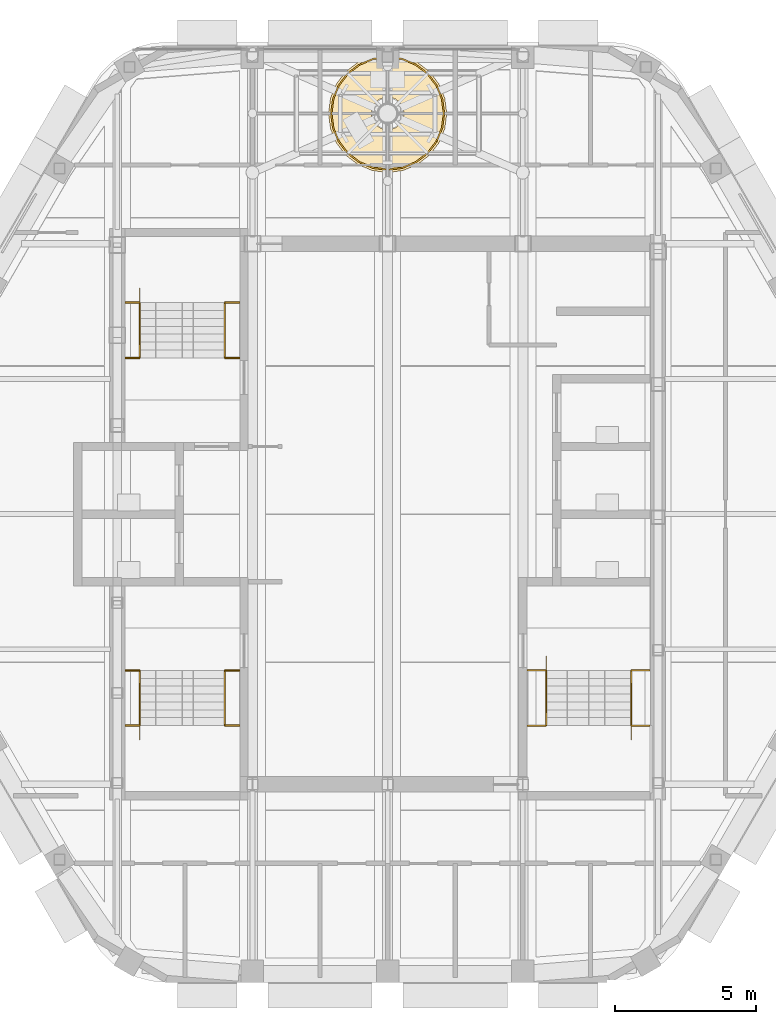
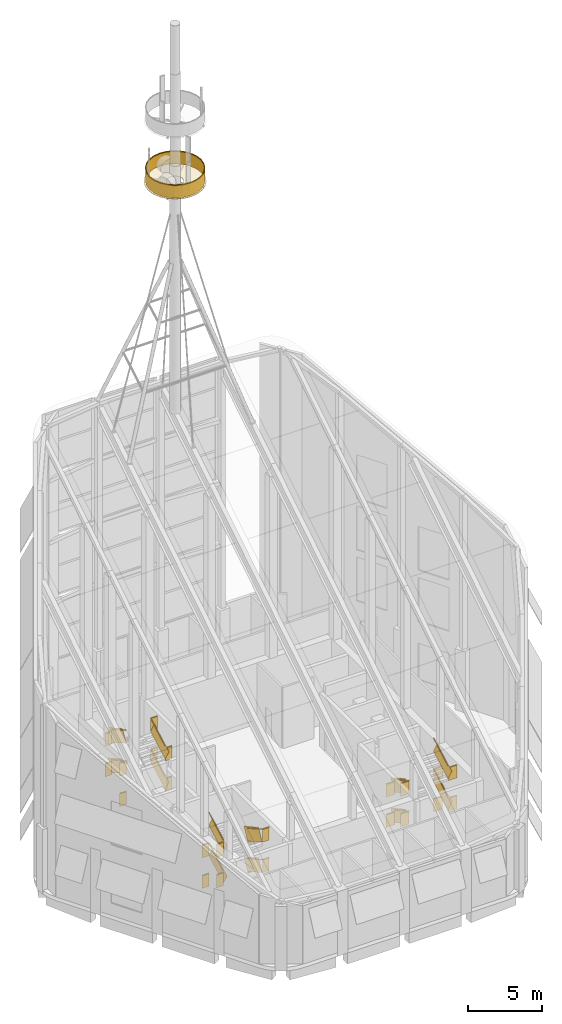
# One storey, part 24 of 25: 7 railings, 1 covering.
"""IFC4 building model written with IfcOpenShell, lengths in metres."""

from ifc_helpers import new_model, si_unit, direction, frame, frame_2d, origin, origin_2d, place, context, subcontext, project, spatial, polyline, rectangle, outline, extrude, material, layer, layer_set, type_object, element, save


model = new_model("IFC4")

# Units and contexts
model_context = context("Model", 3, precision=1e-05, world=origin(), true_north=direction((0.0, 1.0)))
body_context = subcontext(model_context, "Body", "Model", "MODEL_VIEW")
ifc_project = project(units=[si_unit("LENGTHUNIT", "METRE"), si_unit("AREAUNIT", "SQUARE_METRE"), si_unit("VOLUMEUNIT", "CUBIC_METRE"), si_unit("PLANEANGLEUNIT", "RADIAN"), si_unit("MASSUNIT", "GRAM", prefix="KILO")], contexts=[model_context])

# Site, building, storey
site_placement = place(None, origin())
site = spatial("IfcSite", under=ifc_project, at=site_placement, CompositionType="ELEMENT")
building_placement = place(site_placement, origin())
building = spatial("IfcBuilding", under=site, at=building_placement, Name="Kolab Exchange Tower", CompositionType="ELEMENT")
storey_placement = place(building_placement, frame((0.0, 0.0, 301.89990234375)))
storey = spatial("IfcBuildingStorey", under=building, at=storey_placement, Name="L68", CompositionType="ELEMENT", Elevation=301.89990234375)

# Railings
ifc_material_1 = material(Name="Stainless steel 316", Category="steel")
railing_type_1 = type_object("IfcRailingType", Name="GUARD 1100", PredefinedType="GUARDRAIL", material=ifc_material_1)
railing_1_placement = place(storey_placement, frame((-9.324951171875, 5.550048828125, 0.0)))
element("IfcRailing", 1, at=railing_1_placement, inside=storey, type_object=railing_type_1, Name="Guard ST1", PredefinedType="GUARDRAIL", context=body_context, shape_type="SweptSolid", body=[
    extrude(rectangle(XDim=0.05, YDim=0.05, at=origin_2d()), frame((0.0, 0.0, 1.0751953125), z_axis=(1.0, 0.0, 0.0), x_axis=(0.0, 1.0, 0.0)), (0.0, 0.0, 1.0), 0.52734375),
    extrude(rectangle(XDim=0.012, YDim=1.05009765625, at=frame_2d((0.0, 0.525146484375))), frame((0.0, 0.0, 0.0), z_axis=(1.0, 0.0, 0.0), x_axis=(0.0, 1.0, 0.0)), (0.0, 0.0, 1.0), 0.52734375),
    extrude(rectangle(XDim=0.05, YDim=0.05, at=origin_2d()), frame((3.54736328125, 0.0, 1.0751953125), z_axis=(1.0, 0.0, 0.0), x_axis=(0.0, 1.0, 0.0)), (0.0, 0.0, 1.0), 0.527587890625),
    extrude(rectangle(XDim=0.012, YDim=1.05009765625, at=frame_2d((0.0, 0.525146484375))), frame((3.54736328125, 0.0, 0.0), z_axis=(1.0, 0.0, 0.0), x_axis=(0.0, 1.0, 0.0)), (0.0, 0.0, 1.0), 0.527587890625),
    extrude(rectangle(XDim=0.05, YDim=0.05, at=origin_2d()), frame((0.0, 1.9599609375, 2.3251953125), z_axis=(1.0, 0.0, 0.0), x_axis=(0.0, 1.0, 0.0)), (0.0, 0.0, 1.0), 0.52734375),
    extrude(rectangle(XDim=0.012, YDim=1.05009765625, at=frame_2d((0.0, 0.525146484375))), frame((0.0, 1.9599609375, 1.25), z_axis=(1.0, 0.0, 0.0), x_axis=(0.0, 1.0, 0.0)), (0.0, 0.0, 1.0), 0.52734375),
    extrude(rectangle(XDim=0.05, YDim=0.05, at=origin_2d()), frame((3.54736328125, 1.9599609375, 2.3251953125), z_axis=(1.0, 0.0, 0.0), x_axis=(0.0, 1.0, 0.0)), (0.0, 0.0, 1.0), 0.527587890625),
    extrude(rectangle(XDim=0.012, YDim=1.05009765625, at=frame_2d((0.0, 0.525146484375))), frame((3.54736328125, 1.9599609375, 1.25), z_axis=(1.0, 0.0, 0.0), x_axis=(0.0, 1.0, 0.0)), (0.0, 0.0, 1.0), 0.527587890625),
    extrude(rectangle(XDim=0.05, YDim=0.05, at=origin_2d()), frame((0.0, 0.0, 3.5751953125), z_axis=(1.0, 0.0, 0.0), x_axis=(0.0, 1.0, 0.0)), (0.0, 0.0, 1.0), 0.52734375),
    extrude(rectangle(XDim=0.012, YDim=1.05009765625, at=frame_2d((0.0, 0.525146484375))), frame((0.0, 0.0, 2.5), z_axis=(1.0, 0.0, 0.0), x_axis=(0.0, 1.0, 0.0)), (0.0, 0.0, 1.0), 0.52734375),
    extrude(rectangle(XDim=0.05, YDim=0.05, at=origin_2d()), frame((3.54736328125, 0.0, 3.5751953125), z_axis=(1.0, 0.0, 0.0), x_axis=(0.0, 1.0, 0.0)), (0.0, 0.0, 1.0), 0.527587890625),
    extrude(rectangle(XDim=0.012, YDim=1.05009765625, at=frame_2d((0.0, 0.525146484375))), frame((3.54736328125, 0.0, 2.5), z_axis=(1.0, 0.0, 0.0), x_axis=(0.0, 1.0, 0.0)), (0.0, 0.0, 1.0), 0.527587890625),
    extrude(rectangle(XDim=0.05, YDim=0.05, at=origin_2d()), frame((0.0, 1.9599609375, 4.8251953125), z_axis=(1.0, 0.0, 0.0), x_axis=(0.0, 1.0, 0.0)), (0.0, 0.0, 1.0), 0.52734375),
    extrude(rectangle(XDim=0.012, YDim=1.05009765625, at=frame_2d((0.0, 0.525146484375))), frame((0.0, 1.9599609375, 3.75), z_axis=(1.0, 0.0, 0.0), x_axis=(0.0, 1.0, 0.0)), (0.0, 0.0, 1.0), 0.52734375),
    extrude(rectangle(XDim=0.05, YDim=0.05, at=origin_2d()), frame((3.54736328125, 1.9599609375, 4.8251953125), z_axis=(1.0, 0.0, 0.0), x_axis=(0.0, 1.0, 0.0)), (0.0, 0.0, 1.0), 0.527587890625),
    extrude(rectangle(XDim=0.012, YDim=1.05009765625, at=frame_2d((0.0, 0.525146484375))), frame((3.54736328125, 1.9599609375, 3.75), z_axis=(1.0, 0.0, 0.0), x_axis=(0.0, 1.0, 0.0)), (0.0, 0.0, 1.0), 0.527587890625),
])
railing_2_placement = place(storey_placement, frame((-5.777587890625, 5.550048828125, 0.15625)))
element("IfcRailing", 2, at=railing_2_placement, inside=storey, type_object=railing_type_1, Name="Handrail guard ST1", PredefinedType="GUARDRAIL", context=body_context, shape_type="SweptSolid", body=[
    extrude(rectangle(XDim=0.05, YDim=0.05, at=origin_2d()), frame((0.0, 0.0, 1.0751953125), z_axis=(0.0, 0.873232148454, 0.487304437602), x_axis=(-1.0, 0.0, 0.0)), (0.0, 0.0, 1.0), 2.244384765625),
    extrude(rectangle(XDim=0.012, YDim=1.05009765625, at=frame_2d((0.0, 0.525146484375))), frame((0.0, 0.0, 0.0), z_axis=(0.0, 0.873232148454, 0.487304437602), x_axis=(-1.0, 0.0, 0.0)), (0.0, 0.0, 1.0), 2.244384765625),
    extrude(rectangle(XDim=0.05, YDim=0.05, at=origin_2d()), frame((-3.02001953125, 1.9599609375, 2.3251953125), z_axis=(0.0, -0.873232148454, 0.487304437602), x_axis=(1.0, 0.0, 0.0)), (0.0, 0.0, 1.0), 2.244384765625),
    extrude(rectangle(XDim=0.012, YDim=1.05009765625, at=frame_2d((0.0, 0.525146484375))), frame((-3.02001953125, 1.9599609375, 1.25), z_axis=(0.0, -0.873232148454, 0.487304437602), x_axis=(1.0, 0.0, 0.0)), (0.0, 0.0, 1.0), 2.244384765625),
    extrude(rectangle(XDim=0.05, YDim=0.05, at=origin_2d()), frame((0.0, 0.0, 3.5751953125), z_axis=(0.0, 0.873232148454, 0.487304437602), x_axis=(-1.0, 0.0, 0.0)), (0.0, 0.0, 1.0), 2.244384765625),
    extrude(rectangle(XDim=0.012, YDim=1.05009765625, at=frame_2d((0.0, 0.525146484375))), frame((0.0, 0.0, 2.5), z_axis=(0.0, 0.873232148454, 0.487304437602), x_axis=(-1.0, 0.0, 0.0)), (0.0, 0.0, 1.0), 2.244384765625),
    extrude(rectangle(XDim=0.05, YDim=0.05, at=origin_2d()), frame((-3.02001953125, 1.9599609375, 4.8251953125), z_axis=(0.0, -0.873232148454, 0.487304437602), x_axis=(1.0, 0.0, 0.0)), (0.0, 0.0, 1.0), 2.244384765625),
    extrude(rectangle(XDim=0.012, YDim=1.05009765625, at=frame_2d((0.0, 0.525146484375))), frame((-3.02001953125, 1.9599609375, 3.75), z_axis=(0.0, -0.873232148454, 0.487304437602), x_axis=(1.0, 0.0, 0.0)), (0.0, 0.0, 1.0), 2.244384765625),
])
railing_3_placement = place(storey_placement, frame((-9.324951171875, -5.550048828125, 0.0)))
element("IfcRailing", 3, at=railing_3_placement, inside=storey, type_object=railing_type_1, Name="Guard ST3", PredefinedType="GUARDRAIL", context=body_context, shape_type="SweptSolid", body=[
    extrude(rectangle(XDim=0.05, YDim=0.05, at=origin_2d()), frame((0.0, 0.0, 1.0751953125), z_axis=(1.0, 0.0, 0.0), x_axis=(0.0, 1.0, 0.0)), (0.0, 0.0, 1.0), 0.52734375),
    extrude(rectangle(XDim=0.012, YDim=1.05009765625, at=frame_2d((0.0, 0.525146484375))), frame((0.0, 0.0, 0.0), z_axis=(1.0, 0.0, 0.0), x_axis=(0.0, 1.0, 0.0)), (0.0, 0.0, 1.0), 0.52734375),
    extrude(rectangle(XDim=0.05, YDim=0.05, at=origin_2d()), frame((3.54736328125, 0.0, 1.0751953125), z_axis=(1.0, 0.0, 0.0), x_axis=(0.0, 1.0, 0.0)), (0.0, 0.0, 1.0), 0.527587890625),
    extrude(rectangle(XDim=0.012, YDim=1.05009765625, at=frame_2d((0.0, 0.525146484375))), frame((3.54736328125, 0.0, 0.0), z_axis=(1.0, 0.0, 0.0), x_axis=(0.0, 1.0, 0.0)), (0.0, 0.0, 1.0), 0.527587890625),
    extrude(rectangle(XDim=0.05, YDim=0.05, at=origin_2d()), frame((0.0, -1.9599609375, 2.3251953125), z_axis=(1.0, 0.0, 0.0), x_axis=(0.0, 1.0, 0.0)), (0.0, 0.0, 1.0), 0.52734375),
    extrude(rectangle(XDim=0.012, YDim=1.05009765625, at=frame_2d((0.0, 0.525146484375))), frame((0.0, -1.9599609375, 1.25), z_axis=(1.0, 0.0, 0.0), x_axis=(0.0, 1.0, 0.0)), (0.0, 0.0, 1.0), 0.52734375),
    extrude(rectangle(XDim=0.05, YDim=0.05, at=origin_2d()), frame((3.54736328125, -1.9599609375, 2.3251953125), z_axis=(1.0, 0.0, 0.0), x_axis=(0.0, 1.0, 0.0)), (0.0, 0.0, 1.0), 0.527587890625),
    extrude(rectangle(XDim=0.012, YDim=1.05009765625, at=frame_2d((0.0, 0.525146484375))), frame((3.54736328125, -1.9599609375, 1.25), z_axis=(1.0, 0.0, 0.0), x_axis=(0.0, 1.0, 0.0)), (0.0, 0.0, 1.0), 0.527587890625),
    extrude(rectangle(XDim=0.05, YDim=0.05, at=origin_2d()), frame((0.0, 0.0, 3.5751953125), z_axis=(1.0, 0.0, 0.0), x_axis=(0.0, 1.0, 0.0)), (0.0, 0.0, 1.0), 0.52734375),
    extrude(rectangle(XDim=0.012, YDim=1.05009765625, at=frame_2d((0.0, 0.525146484375))), frame((0.0, 0.0, 2.5), z_axis=(1.0, 0.0, 0.0), x_axis=(0.0, 1.0, 0.0)), (0.0, 0.0, 1.0), 0.52734375),
    extrude(rectangle(XDim=0.05, YDim=0.05, at=origin_2d()), frame((3.54736328125, 0.0, 3.5751953125), z_axis=(1.0, 0.0, 0.0), x_axis=(0.0, 1.0, 0.0)), (0.0, 0.0, 1.0), 0.527587890625),
    extrude(rectangle(XDim=0.012, YDim=1.05009765625, at=frame_2d((0.0, 0.525146484375))), frame((3.54736328125, 0.0, 2.5), z_axis=(1.0, 0.0, 0.0), x_axis=(0.0, 1.0, 0.0)), (0.0, 0.0, 1.0), 0.527587890625),
    extrude(rectangle(XDim=0.05, YDim=0.05, at=origin_2d()), frame((0.0, -1.9599609375, 4.8251953125), z_axis=(1.0, 0.0, 0.0), x_axis=(0.0, 1.0, 0.0)), (0.0, 0.0, 1.0), 0.52734375),
    extrude(rectangle(XDim=0.012, YDim=1.05009765625, at=frame_2d((0.0, 0.525146484375))), frame((0.0, -1.9599609375, 3.75), z_axis=(1.0, 0.0, 0.0), x_axis=(0.0, 1.0, 0.0)), (0.0, 0.0, 1.0), 0.52734375),
    extrude(rectangle(XDim=0.05, YDim=0.05, at=origin_2d()), frame((3.54736328125, -1.9599609375, 4.8251953125), z_axis=(1.0, 0.0, 0.0), x_axis=(0.0, 1.0, 0.0)), (0.0, 0.0, 1.0), 0.527587890625),
    extrude(rectangle(XDim=0.012, YDim=1.05009765625, at=frame_2d((0.0, 0.525146484375))), frame((3.54736328125, -1.9599609375, 3.75), z_axis=(1.0, 0.0, 0.0), x_axis=(0.0, 1.0, 0.0)), (0.0, 0.0, 1.0), 0.527587890625),
])
railing_4_placement = place(storey_placement, frame((-5.777587890625, -5.550048828125, 0.15625)))
element("IfcRailing", 4, at=railing_4_placement, inside=storey, type_object=railing_type_1, Name="Handrail guard ST3", PredefinedType="GUARDRAIL", context=body_context, shape_type="SweptSolid", body=[
    extrude(rectangle(XDim=0.05, YDim=0.05, at=origin_2d()), frame((0.0, 0.0, 1.0751953125), z_axis=(0.0, -0.873232148454, 0.487304437602), x_axis=(1.0, 0.0, 0.0)), (0.0, 0.0, 1.0), 2.244384765625),
    extrude(rectangle(XDim=0.012, YDim=1.05009765625, at=frame_2d((0.0, 0.525146484375))), frame((0.0, 0.0, 0.0), z_axis=(0.0, -0.873232148454, 0.487304437602), x_axis=(1.0, 0.0, 0.0)), (0.0, 0.0, 1.0), 2.244384765625),
    extrude(rectangle(XDim=0.05, YDim=0.05, at=origin_2d()), frame((-3.02001953125, -1.9599609375, 2.3251953125), z_axis=(0.0, 0.873232148454, 0.487304437602), x_axis=(-1.0, 0.0, 0.0)), (0.0, 0.0, 1.0), 2.244384765625),
    extrude(rectangle(XDim=0.012, YDim=1.05009765625, at=frame_2d((0.0, 0.525146484375))), frame((-3.02001953125, -1.9599609375, 1.25), z_axis=(0.0, 0.873232148454, 0.487304437602), x_axis=(-1.0, 0.0, 0.0)), (0.0, 0.0, 1.0), 2.244384765625),
    extrude(rectangle(XDim=0.05, YDim=0.05, at=origin_2d()), frame((0.0, 0.0, 3.5751953125), z_axis=(0.0, -0.873232148454, 0.487304437602), x_axis=(1.0, 0.0, 0.0)), (0.0, 0.0, 1.0), 2.244384765625),
    extrude(rectangle(XDim=0.012, YDim=1.05009765625, at=frame_2d((0.0, 0.525146484375))), frame((0.0, 0.0, 2.5), z_axis=(0.0, -0.873232148454, 0.487304437602), x_axis=(1.0, 0.0, 0.0)), (0.0, 0.0, 1.0), 2.244384765625),
    extrude(rectangle(XDim=0.05, YDim=0.05, at=origin_2d()), frame((-3.02001953125, -1.9599609375, 4.8251953125), z_axis=(0.0, 0.873232148454, 0.487304437602), x_axis=(-1.0, 0.0, 0.0)), (0.0, 0.0, 1.0), 2.244384765625),
    extrude(rectangle(XDim=0.012, YDim=1.05009765625, at=frame_2d((0.0, 0.525146484375))), frame((-3.02001953125, -1.9599609375, 3.75), z_axis=(0.0, 0.873232148454, 0.487304437602), x_axis=(-1.0, 0.0, 0.0)), (0.0, 0.0, 1.0), 2.244384765625),
])
railing_5_placement = place(storey_placement, frame((4.949951171875, -5.550048828125, 0.0)))
element("IfcRailing", 5, at=railing_5_placement, inside=storey, type_object=railing_type_1, Name="Guard ST2", PredefinedType="GUARDRAIL", context=body_context, shape_type="SweptSolid", body=[
    extrude(rectangle(XDim=0.05, YDim=0.05, at=origin_2d()), frame((0.0, 0.0, 1.0751953125), z_axis=(1.0, 0.0, 0.0), x_axis=(0.0, 1.0, 0.0)), (0.0, 0.0, 1.0), 0.677490234375),
    extrude(rectangle(XDim=0.012, YDim=1.05009765625, at=frame_2d((0.0, 0.525146484375))), frame((0.0, 0.0, 0.0), z_axis=(1.0, 0.0, 0.0), x_axis=(0.0, 1.0, 0.0)), (0.0, 0.0, 1.0), 0.677490234375),
    extrude(rectangle(XDim=0.05, YDim=0.05, at=origin_2d()), frame((3.697509765625, 0.0, 1.0751953125), z_axis=(1.0, 0.0, 0.0), x_axis=(0.0, 1.0, 0.0)), (0.0, 0.0, 1.0), 0.677490234375),
    extrude(rectangle(XDim=0.012, YDim=1.05009765625, at=frame_2d((0.0, 0.525146484375))), frame((3.697509765625, 0.0, 0.0), z_axis=(1.0, 0.0, 0.0), x_axis=(0.0, 1.0, 0.0)), (0.0, 0.0, 1.0), 0.677490234375),
    extrude(rectangle(XDim=0.05, YDim=0.05, at=origin_2d()), frame((0.0, -1.9599609375, 2.3251953125), z_axis=(1.0, 0.0, 0.0), x_axis=(0.0, 1.0, 0.0)), (0.0, 0.0, 1.0), 0.677490234375),
    extrude(rectangle(XDim=0.012, YDim=1.05009765625, at=frame_2d((0.0, 0.525146484375))), frame((0.0, -1.9599609375, 1.25), z_axis=(1.0, 0.0, 0.0), x_axis=(0.0, 1.0, 0.0)), (0.0, 0.0, 1.0), 0.677490234375),
    extrude(rectangle(XDim=0.05, YDim=0.05, at=origin_2d()), frame((3.697509765625, -1.9599609375, 2.3251953125), z_axis=(1.0, 0.0, 0.0), x_axis=(0.0, 1.0, 0.0)), (0.0, 0.0, 1.0), 0.677490234375),
    extrude(rectangle(XDim=0.012, YDim=1.05009765625, at=frame_2d((0.0, 0.525146484375))), frame((3.697509765625, -1.9599609375, 1.25), z_axis=(1.0, 0.0, 0.0), x_axis=(0.0, 1.0, 0.0)), (0.0, 0.0, 1.0), 0.677490234375),
    extrude(rectangle(XDim=0.05, YDim=0.05, at=origin_2d()), frame((0.0, 0.0, 3.5751953125), z_axis=(1.0, 0.0, 0.0), x_axis=(0.0, 1.0, 0.0)), (0.0, 0.0, 1.0), 0.677490234375),
    extrude(rectangle(XDim=0.012, YDim=1.05009765625, at=frame_2d((0.0, 0.525146484375))), frame((0.0, 0.0, 2.5), z_axis=(1.0, 0.0, 0.0), x_axis=(0.0, 1.0, 0.0)), (0.0, 0.0, 1.0), 0.677490234375),
    extrude(rectangle(XDim=0.05, YDim=0.05, at=origin_2d()), frame((3.697509765625, 0.0, 3.5751953125), z_axis=(1.0, 0.0, 0.0), x_axis=(0.0, 1.0, 0.0)), (0.0, 0.0, 1.0), 0.677490234375),
    extrude(rectangle(XDim=0.012, YDim=1.05009765625, at=frame_2d((0.0, 0.525146484375))), frame((3.697509765625, 0.0, 2.5), z_axis=(1.0, 0.0, 0.0), x_axis=(0.0, 1.0, 0.0)), (0.0, 0.0, 1.0), 0.677490234375),
    extrude(rectangle(XDim=0.05, YDim=0.05, at=origin_2d()), frame((0.0, -1.9599609375, 4.8251953125), z_axis=(1.0, 0.0, 0.0), x_axis=(0.0, 1.0, 0.0)), (0.0, 0.0, 1.0), 0.677490234375),
    extrude(rectangle(XDim=0.012, YDim=1.05009765625, at=frame_2d((0.0, 0.525146484375))), frame((0.0, -1.9599609375, 3.75), z_axis=(1.0, 0.0, 0.0), x_axis=(0.0, 1.0, 0.0)), (0.0, 0.0, 1.0), 0.677490234375),
    extrude(rectangle(XDim=0.05, YDim=0.05, at=origin_2d()), frame((3.697509765625, -1.9599609375, 4.8251953125), z_axis=(1.0, 0.0, 0.0), x_axis=(0.0, 1.0, 0.0)), (0.0, 0.0, 1.0), 0.677490234375),
    extrude(rectangle(XDim=0.012, YDim=1.05009765625, at=frame_2d((0.0, 0.525146484375))), frame((3.697509765625, -1.9599609375, 3.75), z_axis=(1.0, 0.0, 0.0), x_axis=(0.0, 1.0, 0.0)), (0.0, 0.0, 1.0), 0.677490234375),
])
railing_6_placement = place(storey_placement, frame((5.62744140625, -5.550048828125, 0.15625)))
element("IfcRailing", 6, at=railing_6_placement, inside=storey, type_object=railing_type_1, Name="Handrail guard ST2", PredefinedType="GUARDRAIL", context=body_context, shape_type="SweptSolid", body=[
    extrude(rectangle(XDim=0.05, YDim=0.05, at=origin_2d()), frame((0.0, 0.0, 1.0751953125), z_axis=(0.0, -0.873232148454, 0.487304437602), x_axis=(1.0, 0.0, 0.0)), (0.0, 0.0, 1.0), 2.244384765625),
    extrude(rectangle(XDim=0.012, YDim=1.05009765625, at=frame_2d((0.0, 0.525146484375))), frame((0.0, 0.0, 0.0), z_axis=(0.0, -0.873232148454, 0.487304437602), x_axis=(1.0, 0.0, 0.0)), (0.0, 0.0, 1.0), 2.244384765625),
    extrude(rectangle(XDim=0.05, YDim=0.05, at=origin_2d()), frame((3.02001953125, -1.9599609375, 2.3251953125), z_axis=(0.0, 0.873232148454, 0.487304437602), x_axis=(-1.0, 0.0, 0.0)), (0.0, 0.0, 1.0), 2.244384765625),
    extrude(rectangle(XDim=0.012, YDim=1.05009765625, at=frame_2d((0.0, 0.525146484375))), frame((3.02001953125, -1.9599609375, 1.25), z_axis=(0.0, 0.873232148454, 0.487304437602), x_axis=(-1.0, 0.0, 0.0)), (0.0, 0.0, 1.0), 2.244384765625),
    extrude(rectangle(XDim=0.05, YDim=0.05, at=origin_2d()), frame((0.0, 0.0, 3.5751953125), z_axis=(0.0, -0.873232148454, 0.487304437602), x_axis=(1.0, 0.0, 0.0)), (0.0, 0.0, 1.0), 2.244384765625),
    extrude(rectangle(XDim=0.012, YDim=1.05009765625, at=frame_2d((0.0, 0.525146484375))), frame((0.0, 0.0, 2.5), z_axis=(0.0, -0.873232148454, 0.487304437602), x_axis=(1.0, 0.0, 0.0)), (0.0, 0.0, 1.0), 2.244384765625),
    extrude(rectangle(XDim=0.05, YDim=0.05, at=origin_2d()), frame((3.02001953125, -1.9599609375, 4.8251953125), z_axis=(0.0, 0.873232148454, 0.487304437602), x_axis=(-1.0, 0.0, 0.0)), (0.0, 0.0, 1.0), 2.244384765625),
    extrude(rectangle(XDim=0.012, YDim=1.05009765625, at=frame_2d((0.0, 0.525146484375))), frame((3.02001953125, -1.9599609375, 3.75), z_axis=(0.0, 0.873232148454, 0.487304437602), x_axis=(-1.0, 0.0, 0.0)), (0.0, 0.0, 1.0), 2.244384765625),
])
ifc_material_2 = material(Name="Steel S235", Category="steel")
railing_type_2 = type_object("IfcRailingType", Name="GUARD 1100 GLASS BALUSTRADE AND STEEL TOP RAIL", PredefinedType="GUARDRAIL", material=ifc_material_2)
railing_7_placement = place(storey_placement, frame((2.0, 14.227783203125, 42.83056640625)))
element("IfcRailing", 7, at=railing_7_placement, inside=storey, type_object=railing_type_2, Name="Mast platform guard", PredefinedType="GUARDRAIL", context=body_context, shape_type="SweptSolid", body=[
    extrude(rectangle(XDim=0.05, YDim=0.05, at=origin_2d()), frame((0.0, 0.0, 1.0751953125), z_axis=(-0.130478707622, 0.991451111683, 0.0), x_axis=(-0.991451111683, -0.130478707622, 0.0)), (0.0, 0.0, 1.0), 0.52197265625),
    extrude(rectangle(XDim=0.012, YDim=1.05009765625, at=frame_2d((0.0, 0.525146484375))), frame((0.0, 0.0, 0.0), z_axis=(-0.130478707622, 0.991451111683, 0.0), x_axis=(-0.991451111683, -0.130478707622, 0.0)), (0.0, 0.0, 1.0), 0.52197265625),
    extrude(rectangle(XDim=0.05, YDim=0.05, at=origin_2d()), frame((-0.068115234375, 0.517578125, 1.0751953125), z_axis=(-0.382888531077, 0.923794551169, 0.0), x_axis=(-0.923794551169, -0.382888531077, 0.0)), (0.0, 0.0, 1.0), 0.522216796875),
    extrude(rectangle(XDim=0.012, YDim=1.05009765625, at=frame_2d((0.0, 0.525146484375))), frame((-0.068115234375, 0.517578125, 0.0), z_axis=(-0.382888531077, 0.923794551169, 0.0), x_axis=(-0.923794551169, -0.382888531077, 0.0)), (0.0, 0.0, 1.0), 0.522216796875),
    extrude(rectangle(XDim=0.05, YDim=0.05, at=origin_2d()), frame((-0.26806640625, 1.0, 1.0751953125), z_axis=(-0.608647594015, 0.79344067598, 0.0), x_axis=(-0.79344067598, -0.608647594015, 0.0)), (0.0, 0.0, 1.0), 0.52197265625),
    extrude(rectangle(XDim=0.012, YDim=1.05009765625, at=frame_2d((0.0, 0.525146484375))), frame((-0.26806640625, 1.0, 0.0), z_axis=(-0.608647594015, 0.79344067598, 0.0), x_axis=(-0.79344067598, -0.608647594015, 0.0)), (0.0, 0.0, 1.0), 0.52197265625),
    extrude(rectangle(XDim=0.05, YDim=0.05, at=origin_2d()), frame((-0.585693359375, 1.4140625, 1.0751953125), z_axis=(-0.793388088797, 0.608716141198, 0.0), x_axis=(-0.608716141198, -0.793388088797, 0.0)), (0.0, 0.0, 1.0), 0.522216796875),
    extrude(rectangle(XDim=0.012, YDim=1.05009765625, at=frame_2d((0.0, 0.525146484375))), frame((-0.585693359375, 1.4140625, 0.0), z_axis=(-0.793388088797, 0.608716141198, 0.0), x_axis=(-0.608716141198, -0.793388088797, 0.0)), (0.0, 0.0, 1.0), 0.522216796875),
    extrude(rectangle(XDim=0.05, YDim=0.05, at=origin_2d()), frame((-1.0, 1.73193359375, 1.0751953125), z_axis=(-0.923959856763, 0.382489454875, 0.0), x_axis=(-0.382489454875, -0.923959856763, 0.0)), (0.0, 0.0, 1.0), 0.522216796875),
    extrude(rectangle(XDim=0.012, YDim=1.05009765625, at=frame_2d((0.0, 0.525146484375))), frame((-1.0, 1.73193359375, 0.0), z_axis=(-0.923959856763, 0.382489454875, 0.0), x_axis=(-0.382489454875, -0.923959856763, 0.0)), (0.0, 0.0, 1.0), 0.522216796875),
    extrude(rectangle(XDim=0.05, YDim=0.05, at=origin_2d()), frame((-1.482421875, 1.931640625, 1.0751953125), z_axis=(-0.99139051007, 0.130938369255, 0.0), x_axis=(-0.130938369255, -0.99139051007, 0.0)), (0.0, 0.0, 1.0), 0.52197265625),
    extrude(rectangle(XDim=0.012, YDim=1.05009765625, at=frame_2d((0.0, 0.525146484375))), frame((-1.482421875, 1.931640625, 0.0), z_axis=(-0.99139051007, 0.130938369255, 0.0), x_axis=(-0.130938369255, -0.99139051007, 0.0)), (0.0, 0.0, 1.0), 0.52197265625),
    extrude(rectangle(XDim=0.05, YDim=0.05, at=origin_2d()), frame((-2.0, 2.0, 1.0751953125), z_axis=(-0.99139051007, -0.130938369255, 0.0), x_axis=(0.130938369255, -0.99139051007, 0.0)), (0.0, 0.0, 1.0), 0.52197265625),
    extrude(rectangle(XDim=0.012, YDim=1.05009765625, at=frame_2d((0.0, 0.525146484375))), frame((-2.0, 2.0, 0.0), z_axis=(-0.99139051007, -0.130938369255, 0.0), x_axis=(0.130938369255, -0.99139051007, 0.0)), (0.0, 0.0, 1.0), 0.52197265625),
    extrude(rectangle(XDim=0.05, YDim=0.05, at=origin_2d()), frame((-2.517578125, 1.931640625, 1.0751953125), z_axis=(-0.923959856763, -0.382489454875, 0.0), x_axis=(0.382489454875, -0.923959856763, 0.0)), (0.0, 0.0, 1.0), 0.522216796875),
    extrude(rectangle(XDim=0.012, YDim=1.05009765625, at=frame_2d((0.0, 0.525146484375))), frame((-2.517578125, 1.931640625, 0.0), z_axis=(-0.923959856763, -0.382489454875, 0.0), x_axis=(0.382489454875, -0.923959856763, 0.0)), (0.0, 0.0, 1.0), 0.522216796875),
    extrude(rectangle(XDim=0.05, YDim=0.05, at=origin_2d()), frame((-3.0, 1.73193359375, 1.0751953125), z_axis=(-0.793388088797, -0.608716141198, 0.0), x_axis=(0.608716141198, -0.793388088797, 0.0)), (0.0, 0.0, 1.0), 0.522216796875),
    extrude(rectangle(XDim=0.012, YDim=1.05009765625, at=frame_2d((0.0, 0.525146484375))), frame((-3.0, 1.73193359375, 0.0), z_axis=(-0.793388088797, -0.608716141198, 0.0), x_axis=(0.608716141198, -0.793388088797, 0.0)), (0.0, 0.0, 1.0), 0.522216796875),
    extrude(rectangle(XDim=0.05, YDim=0.05, at=origin_2d()), frame((-3.414306640625, 1.4140625, 1.0751953125), z_axis=(-0.608647594015, -0.79344067598, 0.0), x_axis=(0.79344067598, -0.608647594015, 0.0)), (0.0, 0.0, 1.0), 0.52197265625),
    extrude(rectangle(XDim=0.012, YDim=1.05009765625, at=frame_2d((0.0, 0.525146484375))), frame((-3.414306640625, 1.4140625, 0.0), z_axis=(-0.608647594015, -0.79344067598, 0.0), x_axis=(0.79344067598, -0.608647594015, 0.0)), (0.0, 0.0, 1.0), 0.52197265625),
    extrude(rectangle(XDim=0.05, YDim=0.05, at=origin_2d()), frame((-3.73193359375, 1.0, 1.0751953125), z_axis=(-0.382888531077, -0.923794551169, 0.0), x_axis=(0.923794551169, -0.382888531077, 0.0)), (0.0, 0.0, 1.0), 0.522216796875),
    extrude(rectangle(XDim=0.012, YDim=1.05009765625, at=frame_2d((0.0, 0.525146484375))), frame((-3.73193359375, 1.0, 0.0), z_axis=(-0.382888531077, -0.923794551169, 0.0), x_axis=(0.923794551169, -0.382888531077, 0.0)), (0.0, 0.0, 1.0), 0.522216796875),
    extrude(rectangle(XDim=0.05, YDim=0.05, at=origin_2d()), frame((-3.931884765625, 0.517578125, 1.0751953125), z_axis=(-0.130478707622, -0.991451111683, 0.0), x_axis=(0.991451111683, -0.130478707622, 0.0)), (0.0, 0.0, 1.0), 0.52197265625),
    extrude(rectangle(XDim=0.012, YDim=1.05009765625, at=frame_2d((0.0, 0.525146484375))), frame((-3.931884765625, 0.517578125, 0.0), z_axis=(-0.130478707622, -0.991451111683, 0.0), x_axis=(0.991451111683, -0.130478707622, 0.0)), (0.0, 0.0, 1.0), 0.52197265625),
    extrude(rectangle(XDim=0.05, YDim=0.05, at=origin_2d()), frame((-4.0, 0.0, 1.0751953125), z_axis=(0.130418236669, -0.991459068012, 0.0), x_axis=(0.991459068012, 0.130418236669, 0.0)), (0.0, 0.0, 1.0), 0.522216796875),
    extrude(rectangle(XDim=0.012, YDim=1.05009765625, at=frame_2d((0.0, 0.525146484375))), frame((-4.0, 0.0, 0.0), z_axis=(0.130418236669, -0.991459068012, 0.0), x_axis=(0.991459068012, 0.130418236669, 0.0)), (0.0, 0.0, 1.0), 0.522216796875),
    extrude(rectangle(XDim=0.05, YDim=0.05, at=origin_2d()), frame((-3.931884765625, -0.517822265625, 1.0751953125), z_axis=(0.38305395857, -0.923725968469, 0.0), x_axis=(0.923725968469, 0.38305395857, 0.0)), (0.0, 0.0, 1.0), 0.52197265625),
    extrude(rectangle(XDim=0.012, YDim=1.05009765625, at=frame_2d((0.0, 0.525146484375))), frame((-3.931884765625, -0.517822265625, 0.0), z_axis=(0.38305395857, -0.923725968469, 0.0), x_axis=(0.923725968469, 0.38305395857, 0.0)), (0.0, 0.0, 1.0), 0.52197265625),
    extrude(rectangle(XDim=0.05, YDim=0.05, at=origin_2d()), frame((-3.73193359375, -1.0, 1.0751953125), z_axis=(0.608421725759, -0.79361388825, 0.0), x_axis=(0.79361388825, 0.608421725759, 0.0)), (0.0, 0.0, 1.0), 0.52197265625),
    extrude(rectangle(XDim=0.012, YDim=1.05009765625, at=frame_2d((0.0, 0.525146484375))), frame((-3.73193359375, -1.0, 0.0), z_axis=(0.608421725759, -0.79361388825, 0.0), x_axis=(0.79361388825, 0.608421725759, 0.0)), (0.0, 0.0, 1.0), 0.52197265625),
    extrude(rectangle(XDim=0.05, YDim=0.05, at=origin_2d()), frame((-3.414306640625, -1.414306640625, 1.0751953125), z_axis=(0.793388088797, -0.608716141198, 0.0), x_axis=(0.608716141198, 0.793388088797, 0.0)), (0.0, 0.0, 1.0), 0.522216796875),
    extrude(rectangle(XDim=0.012, YDim=1.05009765625, at=frame_2d((0.0, 0.525146484375))), frame((-3.414306640625, -1.414306640625, 0.0), z_axis=(0.793388088797, -0.608716141198, 0.0), x_axis=(0.608716141198, 0.793388088797, 0.0)), (0.0, 0.0, 1.0), 0.522216796875),
    extrude(rectangle(XDim=0.05, YDim=0.05, at=origin_2d()), frame((-3.0, -1.732177734375, 1.0751953125), z_axis=(0.923959856763, -0.382489454875, 0.0), x_axis=(0.382489454875, 0.923959856763, 0.0)), (0.0, 0.0, 1.0), 0.522216796875),
    extrude(rectangle(XDim=0.012, YDim=1.05009765625, at=frame_2d((0.0, 0.525146484375))), frame((-3.0, -1.732177734375, 0.0), z_axis=(0.923959856763, -0.382489454875, 0.0), x_axis=(0.382489454875, 0.923959856763, 0.0)), (0.0, 0.0, 1.0), 0.522216796875),
    extrude(rectangle(XDim=0.05, YDim=0.05, at=origin_2d()), frame((-2.517578125, -1.931884765625, 1.0751953125), z_axis=(0.991451111683, -0.130478707622, 0.0), x_axis=(0.130478707622, 0.991451111683, 0.0)), (0.0, 0.0, 1.0), 0.52197265625),
    extrude(rectangle(XDim=0.012, YDim=1.05009765625, at=frame_2d((0.0, 0.525146484375))), frame((-2.517578125, -1.931884765625, 0.0), z_axis=(0.991451111683, -0.130478707622, 0.0), x_axis=(0.130478707622, 0.991451111683, 0.0)), (0.0, 0.0, 1.0), 0.52197265625),
    extrude(rectangle(XDim=0.05, YDim=0.05, at=origin_2d()), frame((-2.0, -2.0, 1.0751953125), z_axis=(0.991451111683, 0.130478707622, 0.0), x_axis=(-0.130478707622, 0.991451111683, 0.0)), (0.0, 0.0, 1.0), 0.52197265625),
    extrude(rectangle(XDim=0.012, YDim=1.05009765625, at=frame_2d((0.0, 0.525146484375))), frame((-2.0, -2.0, 0.0), z_axis=(0.991451111683, 0.130478707622, 0.0), x_axis=(-0.130478707622, 0.991451111683, 0.0)), (0.0, 0.0, 1.0), 0.52197265625),
    extrude(rectangle(XDim=0.05, YDim=0.05, at=origin_2d()), frame((-1.482421875, -1.931884765625, 1.0751953125), z_axis=(0.923959856763, 0.382489454875, 0.0), x_axis=(-0.382489454875, 0.923959856763, 0.0)), (0.0, 0.0, 1.0), 0.522216796875),
    extrude(rectangle(XDim=0.012, YDim=1.05009765625, at=frame_2d((0.0, 0.525146484375))), frame((-1.482421875, -1.931884765625, 0.0), z_axis=(0.923959856763, 0.382489454875, 0.0), x_axis=(-0.382489454875, 0.923959856763, 0.0)), (0.0, 0.0, 1.0), 0.522216796875),
    extrude(rectangle(XDim=0.05, YDim=0.05, at=origin_2d()), frame((-1.0, -1.732177734375, 1.0751953125), z_axis=(0.793388088797, 0.608716141198, 0.0), x_axis=(-0.608716141198, 0.793388088797, 0.0)), (0.0, 0.0, 1.0), 0.522216796875),
    extrude(rectangle(XDim=0.012, YDim=1.05009765625, at=frame_2d((0.0, 0.525146484375))), frame((-1.0, -1.732177734375, 0.0), z_axis=(0.793388088797, 0.608716141198, 0.0), x_axis=(-0.608716141198, 0.793388088797, 0.0)), (0.0, 0.0, 1.0), 0.522216796875),
    extrude(rectangle(XDim=0.05, YDim=0.05, at=origin_2d()), frame((-0.585693359375, -1.414306640625, 1.0751953125), z_axis=(0.608421725759, 0.79361388825, 0.0), x_axis=(-0.79361388825, 0.608421725759, 0.0)), (0.0, 0.0, 1.0), 0.52197265625),
    extrude(rectangle(XDim=0.012, YDim=1.05009765625, at=frame_2d((0.0, 0.525146484375))), frame((-0.585693359375, -1.414306640625, 0.0), z_axis=(0.608421725759, 0.79361388825, 0.0), x_axis=(-0.79361388825, 0.608421725759, 0.0)), (0.0, 0.0, 1.0), 0.52197265625),
    extrude(rectangle(XDim=0.05, YDim=0.05, at=origin_2d()), frame((-0.26806640625, -1.0, 1.0751953125), z_axis=(0.38305395857, 0.923725968469, 0.0), x_axis=(-0.923725968469, 0.38305395857, 0.0)), (0.0, 0.0, 1.0), 0.52197265625),
    extrude(rectangle(XDim=0.012, YDim=1.05009765625, at=frame_2d((0.0, 0.525146484375))), frame((-0.26806640625, -1.0, 0.0), z_axis=(0.38305395857, 0.923725968469, 0.0), x_axis=(-0.923725968469, 0.38305395857, 0.0)), (0.0, 0.0, 1.0), 0.52197265625),
    extrude(rectangle(XDim=0.05, YDim=0.05, at=origin_2d()), frame((-0.068115234375, -0.517822265625, 1.0751953125), z_axis=(0.130418236669, 0.991459068012, 0.0), x_axis=(-0.991459068012, 0.130418236669, 0.0)), (0.0, 0.0, 1.0), 0.522216796875),
    extrude(rectangle(XDim=0.012, YDim=1.05009765625, at=frame_2d((0.0, 0.525146484375))), frame((-0.068115234375, -0.517822265625, 0.0), z_axis=(0.130418236669, 0.991459068012, 0.0), x_axis=(-0.991459068012, 0.130418236669, 0.0)), (0.0, 0.0, 1.0), 0.522216796875),
])

# Covering
ifc_material_3 = material(Name="Steel S355", Category="steel")
ifc_layer = layer(ifc_material_3, 0.050048828125)
ifc_layer_set = layer_set([ifc_layer], Name="Steel S355")
covering_type = type_object("IfcCoveringType", Name="MAST PLATFORM GRATING DECK 50", PredefinedType="FLOORING", material=ifc_layer_set)
covering_placement = place(storey_placement, frame((0.0, 0.0, 42.78076171875)))
element("IfcCovering", 8, at=covering_placement, inside=storey, type_object=covering_type, Name="Mast platform deck", PredefinedType="FLOORING", context=body_context, shape_type="SweptSolid", body=[
    extrude(outline(polyline([(2.10009765625, 14.227783203125), (2.0283203125, 14.771240234375), (1.818603515625, 15.277587890625), (1.48486328125, 15.712646484375), (1.050048828125, 16.04638671875), (0.54345703125, 16.256103515625), (0.0, 16.32763671875), (-0.54345703125, 16.256103515625), (-1.050048828125, 16.04638671875), (-1.48486328125, 15.712646484375), (-1.818603515625, 15.277587890625), (-2.0283203125, 14.771240234375), (-2.10009765625, 14.227783203125), (-2.0283203125, 13.68408203125), (-1.818603515625, 13.177734375), (-1.48486328125, 12.742919921875), (-1.050048828125, 12.408935546875), (-0.54345703125, 12.19921875), (0.0, 12.127685546875), (0.54345703125, 12.19921875), (1.050048828125, 12.408935546875), (1.48486328125, 12.742919921875), (1.818603515625, 13.177734375), (2.0283203125, 13.68408203125), (2.10009765625, 14.227783203125)]), holes=[polyline([(0.5810546875, 14.227783203125), (0.561279296875, 14.378173828125), (0.503173828125, 14.518310546875), (0.410888671875, 14.638427734375), (0.29052734375, 14.730712890625), (0.150390625, 14.788818359375), (0.0, 14.80859375), (-0.150390625, 14.788818359375), (-0.29052734375, 14.730712890625), (-0.410888671875, 14.638427734375), (-0.503173828125, 14.518310546875), (-0.561279296875, 14.378173828125), (-0.5810546875, 14.227783203125), (-0.561279296875, 14.077392578125), (-0.503173828125, 13.937255859375), (-0.410888671875, 13.81689453125), (-0.29052734375, 13.724609375), (-0.150390625, 13.66650390625), (0.0, 13.646728515625), (0.150390625, 13.66650390625), (0.29052734375, 13.724609375), (0.410888671875, 13.81689453125), (0.503173828125, 13.937255859375), (0.561279296875, 14.077392578125), (0.5810546875, 14.227783203125)])]), origin(), (0.0, 0.0, 1.0), 0.050048828125),
])

save(model, "model.ifc")
